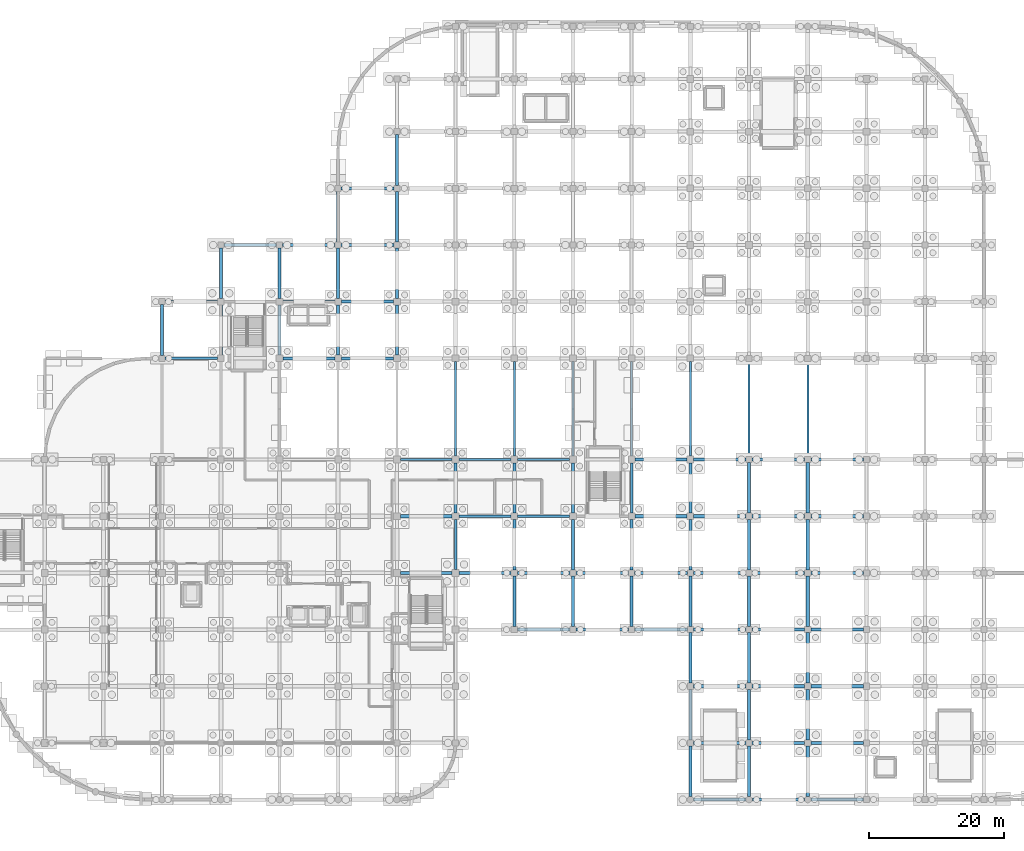
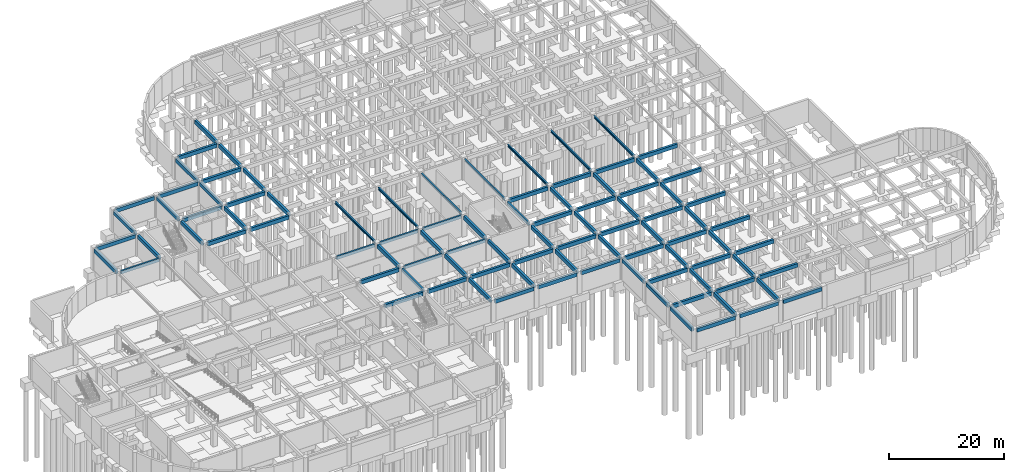
# One storey, part 17 of 33: 95 beams.
"""IFC4 building model written with IfcOpenShell, lengths in metres."""

from ifc_helpers import new_model, si_unit, derived_unit, direction, frame, origin, origin_2d, place, context, subcontext, project, spatial, rectangle, i_section, extrude, material, material_profile, profile_set, type_object, element, save


model = new_model("IFC4")

# Units and contexts
model_context = context("Model", 3, precision=1e-05, world=origin(), true_north=direction((0.0, 1.0)))
body_context = subcontext(model_context, "Body", "Model", "MODEL_VIEW")
ifc_project = project(units=[si_unit("LENGTHUNIT", "METRE"), si_unit("AREAUNIT", "SQUARE_METRE"), si_unit("VOLUMEUNIT", "CUBIC_METRE"), si_unit("PLANEANGLEUNIT", "RADIAN"), si_unit("MASSUNIT", "GRAM", prefix="KILO"), derived_unit("THERMALTRANSMITTANCEUNIT", [(si_unit("MASSUNIT", "GRAM", prefix="KILO"), 1), (si_unit("TIMEUNIT", "SECOND"), -3), (si_unit("THERMODYNAMICTEMPERATUREUNIT", "KELVIN"), -1)])], contexts=[model_context])

# Site, building, storey
site_placement = place(None, origin())
site = spatial("IfcSite", under=ifc_project, at=site_placement, CompositionType="ELEMENT")
building_placement = place(site_placement, origin())
building = spatial("IfcBuilding", under=site, at=building_placement, Name="Qinzheling Arcade Emporium", CompositionType="ELEMENT")
storey_placement = place(building_placement, frame((0.0, 0.0, -9.60009765625)))
storey = spatial("IfcBuildingStorey", under=building, at=storey_placement, Name="B2", CompositionType="ELEMENT", Elevation=-9.60009765625)

# Beams
ifc_material_1 = material(Name="Structural steel Q355B", Category="steel")
ifc_material_profile_1 = material_profile(ifc_material_1, i_section(OverallWidth=0.300048828125, OverallDepth=0.488037109375, WebThickness=0.010986328125, FlangeThickness=0.01806640625, FilletRadius=0.02197265625, at=origin_2d()), Name="HM 488x300x11x18", Category="steel")
ifc_profile_set_1 = profile_set([ifc_material_profile_1], Name="Structural steel Q355B")
beam_type_1 = type_object("IfcBeamType", Name="Atrium Bridge Girder HM488 Q355B", PredefinedType="USERDEFINED", material=ifc_profile_set_1)
for number, where, z_axis, x_axis, name in (
    (1, (69.60009765625, 50.89990234375, 4.276123046875), (0.0, 1.0, 0.0), (-1.0, 0.0, 0.0), "Beam BM-B2-Y-9-G"),
    (2, (78.300048828125, 50.89990234375, 4.276123046875), (0.0, 1.0, 0.0), (-1.0, 0.0, 0.0), "Beam BM-B2-Y-10-G"),
    (3, (87.0, 50.89990234375, 4.236083984375), (0.0, 1.0, 0.0), (-1.0, 0.0, 0.0), "Beam BM-B2-Y-11-G"),
    (4, (95.699951171875, 50.89990234375, 4.236083984375), (0.0, 1.0, 0.0), (-1.0, 0.0, 0.0), "Beam BM-B2-Y-12-G"),
    (5, (104.39990234375, 50.89990234375, 4.276123046875), (0.0, 1.0, 0.0), (-1.0, 0.0, 0.0), "Beam BM-B2-Y-13-G"),
):
    element("IfcBeam", number, at=place(storey_placement, frame(where, z_axis=z_axis, x_axis=x_axis)), inside=storey, type_object=beam_type_1, Name=name, ObjectType="TRANSFER_GIRDER", PredefinedType="USERDEFINED", context=body_context, shape_type="SweptSolid", body=[
        extrude(i_section(OverallWidth=0.300048828125, OverallDepth=0.488037109375, WebThickness=0.010986328125, FlangeThickness=0.01806640625, FilletRadius=0.02197265625, at=origin_2d()), origin(), (0.0, 0.0, 1.0), 14.0),
    ])
for number, where, z_axis, x_axis, name in (
    (6, (113.10009765625, 50.85009765625, 4.276123046875), (0.0, 1.0, 0.0), (-1.0, 0.0, 0.0), "Beam BM-B2-Y-14-G"),
    (7, (121.800048828125, 50.85009765625, 4.276123046875), (0.0, 1.0, 0.0), (-1.0, 0.0, 0.0), "Beam BM-B2-Y-15-G"),
):
    element("IfcBeam", number, at=place(storey_placement, frame(where, z_axis=z_axis, x_axis=x_axis)), inside=storey, type_object=beam_type_1, Name=name, ObjectType="TRANSFER_GIRDER", PredefinedType="USERDEFINED", context=body_context, shape_type="SweptSolid", body=[
        extrude(i_section(OverallWidth=0.300048828125, OverallDepth=0.488037109375, WebThickness=0.010986328125, FlangeThickness=0.01806640625, FilletRadius=0.02197265625, at=origin_2d()), origin(), (0.0, 0.0, 1.0), 14.099853515625),
    ])
ifc_material_2 = material(Name="Concrete C40", Category="concrete")
ifc_material_profile_2 = material_profile(ifc_material_2, rectangle(XDim=0.449951171875, YDim=0.800048828125, at=origin_2d()), Name="RC 450x800", Category="concrete")
ifc_profile_set_2 = profile_set([ifc_material_profile_2], Name="Concrete C40")
beam_type_2 = type_object("IfcBeamType", Name="RC Primary Frame Beam 450x800 C40", PredefinedType="BEAM", material=ifc_profile_set_2)
for number, where, z_axis, x_axis, name in (
    (8, (104.875, 0.0, 4.1201171875), (1.0, 0.0, 0.0), (0.0, 1.0, 0.0), "Beam BM-B2-X-A-13"),
    (9, (113.574951171875, 0.0, 4.1201171875), (1.0, 0.0, 0.0), (0.0, 1.0, 0.0), "Beam BM-B2-X-A-14"),
):
    element("IfcBeam", number, at=place(storey_placement, frame(where, z_axis=z_axis, x_axis=x_axis)), inside=storey, type_object=beam_type_2, Name=name, PredefinedType="BEAM", context=body_context, shape_type="SweptSolid", body=[
        extrude(rectangle(XDim=0.449951171875, YDim=0.800048828125, at=origin_2d()), origin(), (0.0, 0.0, 1.0), 7.75),
    ])
beam_1_placement = place(storey_placement, frame((122.27490234375, 0.0, 4.1201171875), z_axis=(1.0, 0.0, 0.0), x_axis=(0.0, 1.0, 0.0)))
element("IfcBeam", 10, at=beam_1_placement, inside=storey, type_object=beam_type_2, Name="Beam BM-B2-X-A-15", PredefinedType="BEAM", context=body_context, shape_type="SweptSolid", body=[
    extrude(rectangle(XDim=0.449951171875, YDim=0.800048828125, at=origin_2d()), origin(), (0.0, 0.0, 1.0), 7.775146484375),
])
beam_2_placement = place(storey_placement, frame((104.85009765625, 8.39990234375, 4.1201171875), z_axis=(1.0, 0.0, 0.0), x_axis=(0.0, 1.0, 0.0)))
element("IfcBeam", 11, at=beam_2_placement, inside=storey, type_object=beam_type_2, Name="Beam BM-B2-X-B-13", PredefinedType="BEAM", context=body_context, shape_type="SweptSolid", body=[
    extrude(rectangle(XDim=0.449951171875, YDim=0.800048828125, at=origin_2d()), origin(), (0.0, 0.0, 1.0), 7.7998046875),
])
for number, where, z_axis, x_axis, name in (
    (12, (113.550048828125, 8.39990234375, 4.1201171875), (1.0, 0.0, 0.0), (0.0, 1.0, 0.0), "Beam BM-B2-X-B-14"),
    (13, (122.25, 8.39990234375, 4.1201171875), (1.0, 0.0, 0.0), (0.0, 1.0, 0.0), "Beam BM-B2-X-B-15"),
):
    element("IfcBeam", number, at=place(storey_placement, frame(where, z_axis=z_axis, x_axis=x_axis)), inside=storey, type_object=beam_type_2, Name=name, PredefinedType="BEAM", context=body_context, shape_type="SweptSolid", body=[
        extrude(rectangle(XDim=0.449951171875, YDim=0.800048828125, at=origin_2d()), origin(), (0.0, 0.0, 1.0), 7.800048828125),
    ])
beam_3_placement = place(storey_placement, frame((104.85009765625, 16.800048828125, 4.1201171875), z_axis=(1.0, 0.0, 0.0), x_axis=(0.0, 1.0, 0.0)))
element("IfcBeam", 14, at=beam_3_placement, inside=storey, type_object=beam_type_2, Name="Beam BM-B2-X-C-13", PredefinedType="BEAM", context=body_context, shape_type="SweptSolid", body=[
    extrude(rectangle(XDim=0.449951171875, YDim=0.800048828125, at=origin_2d()), origin(), (0.0, 0.0, 1.0), 7.7998046875),
])
for number, where, z_axis, x_axis, name in (
    (15, (113.550048828125, 16.800048828125, 4.1201171875), (1.0, 0.0, 0.0), (0.0, 1.0, 0.0), "Beam BM-B2-X-C-14"),
    (16, (122.25, 16.800048828125, 4.1201171875), (1.0, 0.0, 0.0), (0.0, 1.0, 0.0), "Beam BM-B2-X-C-15"),
    (17, (78.75, 25.199951171875, 4.1201171875), (1.0, 0.0, 0.0), (0.0, 1.0, 0.0), "Beam BM-B2-X-D-10"),
    (18, (87.449951171875, 25.199951171875, 4.1201171875), (1.0, 0.0, 0.0), (0.0, 1.0, 0.0), "Beam BM-B2-X-D-11"),
    (19, (96.14990234375, 25.199951171875, 4.1201171875), (1.0, 0.0, 0.0), (0.0, 1.0, 0.0), "Beam BM-B2-X-D-12"),
):
    element("IfcBeam", number, at=place(storey_placement, frame(where, z_axis=z_axis, x_axis=x_axis)), inside=storey, type_object=beam_type_2, Name=name, PredefinedType="BEAM", context=body_context, shape_type="SweptSolid", body=[
        extrude(rectangle(XDim=0.449951171875, YDim=0.800048828125, at=origin_2d()), origin(), (0.0, 0.0, 1.0), 7.800048828125),
    ])
beam_4_placement = place(storey_placement, frame((104.85009765625, 25.199951171875, 4.1201171875), z_axis=(1.0, 0.0, 0.0), x_axis=(0.0, 1.0, 0.0)))
element("IfcBeam", 20, at=beam_4_placement, inside=storey, type_object=beam_type_2, Name="Beam BM-B2-X-D-13", PredefinedType="BEAM", context=body_context, shape_type="SweptSolid", body=[
    extrude(rectangle(XDim=0.449951171875, YDim=0.800048828125, at=origin_2d()), origin(), (0.0, 0.0, 1.0), 7.7998046875),
])
for number, where, z_axis, x_axis, name in (
    (21, (113.550048828125, 25.199951171875, 4.1201171875), (1.0, 0.0, 0.0), (0.0, 1.0, 0.0), "Beam BM-B2-X-D-14"),
    (22, (122.25, 25.199951171875, 4.1201171875), (1.0, 0.0, 0.0), (0.0, 1.0, 0.0), "Beam BM-B2-X-D-15"),
):
    element("IfcBeam", number, at=place(storey_placement, frame(where, z_axis=z_axis, x_axis=x_axis)), inside=storey, type_object=beam_type_2, Name=name, PredefinedType="BEAM", context=body_context, shape_type="SweptSolid", body=[
        extrude(rectangle(XDim=0.449951171875, YDim=0.800048828125, at=origin_2d()), origin(), (0.0, 0.0, 1.0), 7.800048828125),
    ])
beam_5_placement = place(storey_placement, frame((61.39990234375, 33.60009765625, 4.080078125), z_axis=(1.0, 0.0, 0.0), x_axis=(0.0, 1.0, 0.0)))
element("IfcBeam", 23, at=beam_5_placement, inside=storey, type_object=beam_type_2, Name="Beam BM-B2-X-E-8", PredefinedType="BEAM", context=body_context, shape_type="SweptSolid", body=[
    extrude(rectangle(XDim=0.449951171875, YDim=0.800048828125, at=origin_2d()), origin(), (0.0, 0.0, 1.0), 7.7001953125),
])
beam_6_placement = place(storey_placement, frame((70.10009765625, 33.60009765625, 4.1201171875), z_axis=(1.0, 0.0, 0.0), x_axis=(0.0, 1.0, 0.0)))
element("IfcBeam", 24, at=beam_6_placement, inside=storey, type_object=beam_type_2, Name="Beam BM-B2-X-E-9", PredefinedType="BEAM", context=body_context, shape_type="SweptSolid", body=[
    extrude(rectangle(XDim=0.449951171875, YDim=0.800048828125, at=origin_2d()), origin(), (0.0, 0.0, 1.0), 7.75),
])
for number, where, z_axis, x_axis, name in (
    (25, (78.75, 33.60009765625, 4.1201171875), (1.0, 0.0, 0.0), (0.0, 1.0, 0.0), "Beam BM-B2-X-E-10"),
    (26, (87.449951171875, 33.60009765625, 4.1201171875), (1.0, 0.0, 0.0), (0.0, 1.0, 0.0), "Beam BM-B2-X-E-11"),
    (27, (96.14990234375, 33.60009765625, 4.1201171875), (1.0, 0.0, 0.0), (0.0, 1.0, 0.0), "Beam BM-B2-X-E-12"),
):
    element("IfcBeam", number, at=place(storey_placement, frame(where, z_axis=z_axis, x_axis=x_axis)), inside=storey, type_object=beam_type_2, Name=name, PredefinedType="BEAM", context=body_context, shape_type="SweptSolid", body=[
        extrude(rectangle(XDim=0.449951171875, YDim=0.800048828125, at=origin_2d()), origin(), (0.0, 0.0, 1.0), 7.800048828125),
    ])
beam_7_placement = place(storey_placement, frame((104.85009765625, 33.60009765625, 4.1201171875), z_axis=(1.0, 0.0, 0.0), x_axis=(0.0, 1.0, 0.0)))
element("IfcBeam", 28, at=beam_7_placement, inside=storey, type_object=beam_type_2, Name="Beam BM-B2-X-E-13", PredefinedType="BEAM", context=body_context, shape_type="SweptSolid", body=[
    extrude(rectangle(XDim=0.449951171875, YDim=0.800048828125, at=origin_2d()), origin(), (0.0, 0.0, 1.0), 7.7998046875),
])
for number, where, z_axis, x_axis, name in (
    (29, (113.550048828125, 33.60009765625, 4.1201171875), (1.0, 0.0, 0.0), (0.0, 1.0, 0.0), "Beam BM-B2-X-E-14"),
    (30, (122.25, 33.60009765625, 4.1201171875), (1.0, 0.0, 0.0), (0.0, 1.0, 0.0), "Beam BM-B2-X-E-15"),
):
    element("IfcBeam", number, at=place(storey_placement, frame(where, z_axis=z_axis, x_axis=x_axis)), inside=storey, type_object=beam_type_2, Name=name, PredefinedType="BEAM", context=body_context, shape_type="SweptSolid", body=[
        extrude(rectangle(XDim=0.449951171875, YDim=0.800048828125, at=origin_2d()), origin(), (0.0, 0.0, 1.0), 7.800048828125),
    ])
beam_8_placement = place(storey_placement, frame((61.39990234375, 42.0, 4.080078125), z_axis=(1.0, 0.0, 0.0), x_axis=(0.0, 1.0, 0.0)))
element("IfcBeam", 31, at=beam_8_placement, inside=storey, type_object=beam_type_2, Name="Beam BM-B2-X-F-8", PredefinedType="BEAM", context=body_context, shape_type="SweptSolid", body=[
    extrude(rectangle(XDim=0.449951171875, YDim=0.800048828125, at=origin_2d()), origin(), (0.0, 0.0, 1.0), 7.7001953125),
])
beam_9_placement = place(storey_placement, frame((96.199951171875, 42.0, 4.1201171875), z_axis=(1.0, 0.0, 0.0), x_axis=(0.0, 1.0, 0.0)))
element("IfcBeam", 32, at=beam_9_placement, inside=storey, type_object=beam_type_2, Name="Beam BM-B2-X-F-12", PredefinedType="BEAM", context=body_context, shape_type="SweptSolid", body=[
    extrude(rectangle(XDim=0.449951171875, YDim=0.800048828125, at=origin_2d()), origin(), (0.0, 0.0, 1.0), 7.699951171875),
])
beam_10_placement = place(storey_placement, frame((104.89990234375, 42.0, 4.1201171875), z_axis=(1.0, 0.0, 0.0), x_axis=(0.0, 1.0, 0.0)))
element("IfcBeam", 33, at=beam_10_placement, inside=storey, type_object=beam_type_2, Name="Beam BM-B2-X-F-13", PredefinedType="BEAM", context=body_context, shape_type="SweptSolid", body=[
    extrude(rectangle(XDim=0.449951171875, YDim=0.800048828125, at=origin_2d()), origin(), (0.0, 0.0, 1.0), 7.75),
])
for number, where, z_axis, x_axis, name in (
    (34, (113.550048828125, 42.0, 4.1201171875), (1.0, 0.0, 0.0), (0.0, 1.0, 0.0), "Beam BM-B2-X-F-14"),
    (35, (122.25, 42.0, 4.1201171875), (1.0, 0.0, 0.0), (0.0, 1.0, 0.0), "Beam BM-B2-X-F-15"),
):
    element("IfcBeam", number, at=place(storey_placement, frame(where, z_axis=z_axis, x_axis=x_axis)), inside=storey, type_object=beam_type_2, Name=name, PredefinedType="BEAM", context=body_context, shape_type="SweptSolid", body=[
        extrude(rectangle(XDim=0.449951171875, YDim=0.800048828125, at=origin_2d()), origin(), (0.0, 0.0, 1.0), 7.800048828125),
    ])
beam_11_placement = place(storey_placement, frame((96.199951171875, 50.39990234375, 4.1201171875), z_axis=(1.0, 0.0, 0.0), x_axis=(0.0, 1.0, 0.0)))
element("IfcBeam", 36, at=beam_11_placement, inside=storey, type_object=beam_type_2, Name="Beam BM-B2-X-G-12", PredefinedType="BEAM", context=body_context, shape_type="SweptSolid", body=[
    extrude(rectangle(XDim=0.449951171875, YDim=0.800048828125, at=origin_2d()), origin(), (0.0, 0.0, 1.0), 7.699951171875),
])
beam_12_placement = place(storey_placement, frame((104.89990234375, 50.39990234375, 4.1201171875), z_axis=(1.0, 0.0, 0.0), x_axis=(0.0, 1.0, 0.0)))
element("IfcBeam", 37, at=beam_12_placement, inside=storey, type_object=beam_type_2, Name="Beam BM-B2-X-G-13", PredefinedType="BEAM", context=body_context, shape_type="SweptSolid", body=[
    extrude(rectangle(XDim=0.449951171875, YDim=0.800048828125, at=origin_2d()), origin(), (0.0, 0.0, 1.0), 7.75),
])
for number, where, z_axis, x_axis, name in (
    (38, (113.550048828125, 50.39990234375, 4.1201171875), (1.0, 0.0, 0.0), (0.0, 1.0, 0.0), "Beam BM-B2-X-G-14"),
    (39, (122.25, 50.39990234375, 4.1201171875), (1.0, 0.0, 0.0), (0.0, 1.0, 0.0), "Beam BM-B2-X-G-15"),
):
    element("IfcBeam", number, at=place(storey_placement, frame(where, z_axis=z_axis, x_axis=x_axis)), inside=storey, type_object=beam_type_2, Name=name, PredefinedType="BEAM", context=body_context, shape_type="SweptSolid", body=[
        extrude(rectangle(XDim=0.449951171875, YDim=0.800048828125, at=origin_2d()), origin(), (0.0, 0.0, 1.0), 7.800048828125),
    ])
for number, where, z_axis, x_axis, name in (
    (40, (44.0, 65.39990234375, 4.1201171875), (1.0, 0.0, 0.0), (0.0, 1.0, 0.0), "Beam BM-B2-X-H-6"),
    (41, (52.699951171875, 65.39990234375, 4.1201171875), (1.0, 0.0, 0.0), (0.0, 1.0, 0.0), "Beam BM-B2-X-H-7"),
):
    element("IfcBeam", number, at=place(storey_placement, frame(where, z_axis=z_axis, x_axis=x_axis)), inside=storey, type_object=beam_type_2, Name=name, PredefinedType="BEAM", context=body_context, shape_type="SweptSolid", body=[
        extrude(rectangle(XDim=0.449951171875, YDim=0.800048828125, at=origin_2d()), origin(), (0.0, 0.0, 1.0), 7.699951171875),
    ])
beam_13_placement = place(storey_placement, frame((26.550048828125, 73.800048828125, 4.1201171875), z_axis=(1.0, 0.0, 0.0), x_axis=(0.0, 1.0, 0.0)))
element("IfcBeam", 42, at=beam_13_placement, inside=storey, type_object=beam_type_2, Name="Beam BM-B2-X-J-4", PredefinedType="BEAM", context=body_context, shape_type="SweptSolid", body=[
    extrude(rectangle(XDim=0.449951171875, YDim=0.800048828125, at=origin_2d()), origin(), (0.0, 0.0, 1.0), 7.75),
])
for number, where, z_axis, x_axis, name in (
    (43, (44.0, 73.800048828125, 4.1201171875), (1.0, 0.0, 0.0), (0.0, 1.0, 0.0), "Beam BM-B2-X-J-6"),
    (44, (52.699951171875, 73.800048828125, 4.1201171875), (1.0, 0.0, 0.0), (0.0, 1.0, 0.0), "Beam BM-B2-X-J-7"),
):
    element("IfcBeam", number, at=place(storey_placement, frame(where, z_axis=z_axis, x_axis=x_axis)), inside=storey, type_object=beam_type_2, Name=name, PredefinedType="BEAM", context=body_context, shape_type="SweptSolid", body=[
        extrude(rectangle(XDim=0.449951171875, YDim=0.800048828125, at=origin_2d()), origin(), (0.0, 0.0, 1.0), 7.699951171875),
    ])
for number, where, z_axis, x_axis, name in (
    (45, (35.25, 82.199951171875, 4.1201171875), (1.0, 0.0, 0.0), (0.0, 1.0, 0.0), "Beam BM-B2-X-K-5"),
    (46, (43.949951171875, 82.199951171875, 4.1201171875), (1.0, 0.0, 0.0), (0.0, 1.0, 0.0), "Beam BM-B2-X-K-6"),
    (47, (52.64990234375, 82.199951171875, 4.1201171875), (1.0, 0.0, 0.0), (0.0, 1.0, 0.0), "Beam BM-B2-X-K-7"),
    (48, (52.64990234375, 90.60009765625, 4.1201171875), (1.0, 0.0, 0.0), (0.0, 1.0, 0.0), "Beam BM-B2-X-L-7"),
):
    element("IfcBeam", number, at=place(storey_placement, frame(where, z_axis=z_axis, x_axis=x_axis)), inside=storey, type_object=beam_type_2, Name=name, PredefinedType="BEAM", context=body_context, shape_type="SweptSolid", body=[
        extrude(rectangle(XDim=0.449951171875, YDim=0.800048828125, at=origin_2d()), origin(), (0.0, 0.0, 1.0), 7.800048828125),
    ])
beam_14_placement = place(storey_placement, frame((26.10009765625, 65.85009765625, 4.1201171875), z_axis=(0.0, 1.0, 0.0), x_axis=(-1.0, 0.0, 0.0)))
element("IfcBeam", 49, at=beam_14_placement, inside=storey, type_object=beam_type_2, Name="Beam BM-B2-Y-4-H", PredefinedType="BEAM", context=body_context, shape_type="SweptSolid", body=[
    extrude(rectangle(XDim=0.449951171875, YDim=0.800048828125, at=origin_2d()), origin(), (0.0, 0.0, 1.0), 7.5),
])
beam_15_placement = place(storey_placement, frame((34.800048828125, 65.89990234375, 4.080078125), z_axis=(0.0, 1.0, 0.0), x_axis=(-1.0, 0.0, 0.0)))
element("IfcBeam", 50, at=beam_15_placement, inside=storey, type_object=beam_type_2, Name="Beam BM-B2-Y-5-H", PredefinedType="BEAM", context=body_context, shape_type="SweptSolid", body=[
    extrude(rectangle(XDim=0.449951171875, YDim=0.800048828125, at=origin_2d()), origin(), (0.0, 0.0, 1.0), 7.400146484375),
])
beam_16_placement = place(storey_placement, frame((34.800048828125, 74.300048828125, 4.1201171875), z_axis=(0.0, 1.0, 0.0), x_axis=(-1.0, 0.0, 0.0)))
element("IfcBeam", 51, at=beam_16_placement, inside=storey, type_object=beam_type_2, Name="Beam BM-B2-Y-5-J", PredefinedType="BEAM", context=body_context, shape_type="SweptSolid", body=[
    extrude(rectangle(XDim=0.449951171875, YDim=0.800048828125, at=origin_2d()), origin(), (0.0, 0.0, 1.0), 7.449951171875),
])
beam_17_placement = place(storey_placement, frame((43.5, 65.89990234375, 4.080078125), z_axis=(0.0, 1.0, 0.0), x_axis=(-1.0, 0.0, 0.0)))
element("IfcBeam", 52, at=beam_17_placement, inside=storey, type_object=beam_type_2, Name="Beam BM-B2-Y-6-H", PredefinedType="BEAM", context=body_context, shape_type="SweptSolid", body=[
    extrude(rectangle(XDim=0.449951171875, YDim=0.800048828125, at=origin_2d()), origin(), (0.0, 0.0, 1.0), 7.400146484375),
])
beam_18_placement = place(storey_placement, frame((43.5, 74.300048828125, 4.1201171875), z_axis=(0.0, 1.0, 0.0), x_axis=(-1.0, 0.0, 0.0)))
element("IfcBeam", 53, at=beam_18_placement, inside=storey, type_object=beam_type_2, Name="Beam BM-B2-Y-6-J", PredefinedType="BEAM", context=body_context, shape_type="SweptSolid", body=[
    extrude(rectangle(XDim=0.449951171875, YDim=0.800048828125, at=origin_2d()), origin(), (0.0, 0.0, 1.0), 7.449951171875),
])
beam_19_placement = place(storey_placement, frame((52.199951171875, 65.89990234375, 4.1201171875), z_axis=(0.0, 1.0, 0.0), x_axis=(-1.0, 0.0, 0.0)))
element("IfcBeam", 54, at=beam_19_placement, inside=storey, type_object=beam_type_2, Name="Beam BM-B2-Y-7-H", PredefinedType="BEAM", context=body_context, shape_type="SweptSolid", body=[
    extrude(rectangle(XDim=0.449951171875, YDim=0.800048828125, at=origin_2d()), origin(), (0.0, 0.0, 1.0), 7.400146484375),
])
beam_20_placement = place(storey_placement, frame((52.199951171875, 74.300048828125, 4.1201171875), z_axis=(0.0, 1.0, 0.0), x_axis=(-1.0, 0.0, 0.0)))
element("IfcBeam", 55, at=beam_20_placement, inside=storey, type_object=beam_type_2, Name="Beam BM-B2-Y-7-J", PredefinedType="BEAM", context=body_context, shape_type="SweptSolid", body=[
    extrude(rectangle(XDim=0.449951171875, YDim=0.800048828125, at=origin_2d()), origin(), (0.0, 0.0, 1.0), 7.449951171875),
])
beam_21_placement = place(storey_placement, frame((52.199951171875, 82.64990234375, 4.1201171875), z_axis=(0.0, 1.0, 0.0), x_axis=(-1.0, 0.0, 0.0)))
element("IfcBeam", 56, at=beam_21_placement, inside=storey, type_object=beam_type_2, Name="Beam BM-B2-Y-7-K", PredefinedType="BEAM", context=body_context, shape_type="SweptSolid", body=[
    extrude(rectangle(XDim=0.449951171875, YDim=0.800048828125, at=origin_2d()), origin(), (0.0, 0.0, 1.0), 7.5),
])
beam_22_placement = place(storey_placement, frame((60.89990234375, 65.89990234375, 4.1201171875), z_axis=(0.0, 1.0, 0.0), x_axis=(-1.0, 0.0, 0.0)))
element("IfcBeam", 57, at=beam_22_placement, inside=storey, type_object=beam_type_2, Name="Beam BM-B2-Y-8-H", PredefinedType="BEAM", context=body_context, shape_type="SweptSolid", body=[
    extrude(rectangle(XDim=0.449951171875, YDim=0.800048828125, at=origin_2d()), origin(), (0.0, 0.0, 1.0), 7.400146484375),
])
beam_23_placement = place(storey_placement, frame((60.89990234375, 74.300048828125, 4.1201171875), z_axis=(0.0, 1.0, 0.0), x_axis=(-1.0, 0.0, 0.0)))
element("IfcBeam", 58, at=beam_23_placement, inside=storey, type_object=beam_type_2, Name="Beam BM-B2-Y-8-J", PredefinedType="BEAM", context=body_context, shape_type="SweptSolid", body=[
    extrude(rectangle(XDim=0.449951171875, YDim=0.800048828125, at=origin_2d()), origin(), (0.0, 0.0, 1.0), 7.449951171875),
])
for number, where, z_axis, x_axis, name in (
    (59, (60.89990234375, 82.64990234375, 4.1201171875), (0.0, 1.0, 0.0), (-1.0, 0.0, 0.0), "Beam BM-B2-Y-8-K"),
    (60, (60.89990234375, 91.050048828125, 4.1201171875), (0.0, 1.0, 0.0), (-1.0, 0.0, 0.0), "Beam BM-B2-Y-8-L"),
):
    element("IfcBeam", number, at=place(storey_placement, frame(where, z_axis=z_axis, x_axis=x_axis)), inside=storey, type_object=beam_type_2, Name=name, PredefinedType="BEAM", context=body_context, shape_type="SweptSolid", body=[
        extrude(rectangle(XDim=0.449951171875, YDim=0.800048828125, at=origin_2d()), origin(), (0.0, 0.0, 1.0), 7.5),
    ])
beam_24_placement = place(storey_placement, frame((69.60009765625, 42.5, 4.080078125), z_axis=(0.0, 1.0, 0.0), x_axis=(-1.0, 0.0, 0.0)))
element("IfcBeam", 61, at=beam_24_placement, inside=storey, type_object=beam_type_2, Name="Beam BM-B2-Y-9-F", PredefinedType="BEAM", context=body_context, shape_type="SweptSolid", body=[
    extrude(rectangle(XDim=0.449951171875, YDim=0.800048828125, at=origin_2d()), origin(), (0.0, 0.0, 1.0), 7.39990234375),
])
beam_25_placement = place(storey_placement, frame((78.300048828125, 25.64990234375, 4.1201171875), z_axis=(0.0, 1.0, 0.0), x_axis=(-1.0, 0.0, 0.0)))
element("IfcBeam", 62, at=beam_25_placement, inside=storey, type_object=beam_type_2, Name="Beam BM-B2-Y-10-D", PredefinedType="BEAM", context=body_context, shape_type="SweptSolid", body=[
    extrude(rectangle(XDim=0.449951171875, YDim=0.800048828125, at=origin_2d()), origin(), (0.0, 0.0, 1.0), 7.5),
])
beam_26_placement = place(storey_placement, frame((78.300048828125, 34.050048828125, 4.1201171875), z_axis=(0.0, 1.0, 0.0), x_axis=(-1.0, 0.0, 0.0)))
element("IfcBeam", 63, at=beam_26_placement, inside=storey, type_object=beam_type_2, Name="Beam BM-B2-Y-10-E", PredefinedType="BEAM", context=body_context, shape_type="SweptSolid", body=[
    extrude(rectangle(XDim=0.449951171875, YDim=0.800048828125, at=origin_2d()), origin(), (0.0, 0.0, 1.0), 7.449951171875),
])
beam_27_placement = place(storey_placement, frame((78.300048828125, 42.5, 4.080078125), z_axis=(0.0, 1.0, 0.0), x_axis=(-1.0, 0.0, 0.0)))
element("IfcBeam", 64, at=beam_27_placement, inside=storey, type_object=beam_type_2, Name="Beam BM-B2-Y-10-F", PredefinedType="BEAM", context=body_context, shape_type="SweptSolid", body=[
    extrude(rectangle(XDim=0.449951171875, YDim=0.800048828125, at=origin_2d()), origin(), (0.0, 0.0, 1.0), 7.39990234375),
])
beam_28_placement = place(storey_placement, frame((87.0, 25.64990234375, 4.1201171875), z_axis=(0.0, 1.0, 0.0), x_axis=(-1.0, 0.0, 0.0)))
element("IfcBeam", 65, at=beam_28_placement, inside=storey, type_object=beam_type_2, Name="Beam BM-B2-Y-11-D", PredefinedType="BEAM", context=body_context, shape_type="SweptSolid", body=[
    extrude(rectangle(XDim=0.449951171875, YDim=0.800048828125, at=origin_2d()), origin(), (0.0, 0.0, 1.0), 7.5),
])
beam_29_placement = place(storey_placement, frame((87.0, 34.050048828125, 4.1201171875), z_axis=(0.0, 1.0, 0.0), x_axis=(-1.0, 0.0, 0.0)))
element("IfcBeam", 66, at=beam_29_placement, inside=storey, type_object=beam_type_2, Name="Beam BM-B2-Y-11-E", PredefinedType="BEAM", context=body_context, shape_type="SweptSolid", body=[
    extrude(rectangle(XDim=0.449951171875, YDim=0.800048828125, at=origin_2d()), origin(), (0.0, 0.0, 1.0), 7.449951171875),
])
beam_30_placement = place(storey_placement, frame((87.0, 42.5, 4.080078125), z_axis=(0.0, 1.0, 0.0), x_axis=(-1.0, 0.0, 0.0)))
element("IfcBeam", 67, at=beam_30_placement, inside=storey, type_object=beam_type_2, Name="Beam BM-B2-Y-11-F", PredefinedType="BEAM", context=body_context, shape_type="SweptSolid", body=[
    extrude(rectangle(XDim=0.449951171875, YDim=0.800048828125, at=origin_2d()), origin(), (0.0, 0.0, 1.0), 7.39990234375),
])
beam_31_placement = place(storey_placement, frame((95.699951171875, 25.64990234375, 4.1201171875), z_axis=(0.0, 1.0, 0.0), x_axis=(-1.0, 0.0, 0.0)))
element("IfcBeam", 68, at=beam_31_placement, inside=storey, type_object=beam_type_2, Name="Beam BM-B2-Y-12-D", PredefinedType="BEAM", context=body_context, shape_type="SweptSolid", body=[
    extrude(rectangle(XDim=0.449951171875, YDim=0.800048828125, at=origin_2d()), origin(), (0.0, 0.0, 1.0), 7.5),
])
beam_32_placement = place(storey_placement, frame((95.699951171875, 34.050048828125, 4.1201171875), z_axis=(0.0, 1.0, 0.0), x_axis=(-1.0, 0.0, 0.0)))
element("IfcBeam", 69, at=beam_32_placement, inside=storey, type_object=beam_type_2, Name="Beam BM-B2-Y-12-E", PredefinedType="BEAM", context=body_context, shape_type="SweptSolid", body=[
    extrude(rectangle(XDim=0.449951171875, YDim=0.800048828125, at=origin_2d()), origin(), (0.0, 0.0, 1.0), 7.449951171875),
])
beam_33_placement = place(storey_placement, frame((104.39990234375, 0.47509765625, 4.1201171875), z_axis=(0.0, 1.0, 0.0), x_axis=(-1.0, 0.0, 0.0)))
element("IfcBeam", 70, at=beam_33_placement, inside=storey, type_object=beam_type_2, Name="Beam BM-B2-Y-13-A", PredefinedType="BEAM", context=body_context, shape_type="SweptSolid", body=[
    extrude(rectangle(XDim=0.449951171875, YDim=0.800048828125, at=origin_2d()), origin(), (0.0, 0.0, 1.0), 7.474853515625),
])
for number, where, z_axis, x_axis, name in (
    (71, (104.39990234375, 8.85009765625, 4.1201171875), (0.0, 1.0, 0.0), (-1.0, 0.0, 0.0), "Beam BM-B2-Y-13-B"),
    (72, (104.39990234375, 17.25, 4.1201171875), (0.0, 1.0, 0.0), (-1.0, 0.0, 0.0), "Beam BM-B2-Y-13-C"),
    (73, (104.39990234375, 25.64990234375, 4.1201171875), (0.0, 1.0, 0.0), (-1.0, 0.0, 0.0), "Beam BM-B2-Y-13-D"),
):
    element("IfcBeam", number, at=place(storey_placement, frame(where, z_axis=z_axis, x_axis=x_axis)), inside=storey, type_object=beam_type_2, Name=name, PredefinedType="BEAM", context=body_context, shape_type="SweptSolid", body=[
        extrude(rectangle(XDim=0.449951171875, YDim=0.800048828125, at=origin_2d()), origin(), (0.0, 0.0, 1.0), 7.5),
    ])
beam_34_placement = place(storey_placement, frame((104.39990234375, 34.050048828125, 4.1201171875), z_axis=(0.0, 1.0, 0.0), x_axis=(-1.0, 0.0, 0.0)))
element("IfcBeam", 74, at=beam_34_placement, inside=storey, type_object=beam_type_2, Name="Beam BM-B2-Y-13-E", PredefinedType="BEAM", context=body_context, shape_type="SweptSolid", body=[
    extrude(rectangle(XDim=0.449951171875, YDim=0.800048828125, at=origin_2d()), origin(), (0.0, 0.0, 1.0), 7.449951171875),
])
beam_35_placement = place(storey_placement, frame((104.39990234375, 42.5, 4.1201171875), z_axis=(0.0, 1.0, 0.0), x_axis=(-1.0, 0.0, 0.0)))
element("IfcBeam", 75, at=beam_35_placement, inside=storey, type_object=beam_type_2, Name="Beam BM-B2-Y-13-F", PredefinedType="BEAM", context=body_context, shape_type="SweptSolid", body=[
    extrude(rectangle(XDim=0.449951171875, YDim=0.800048828125, at=origin_2d()), origin(), (0.0, 0.0, 1.0), 7.39990234375),
])
beam_36_placement = place(storey_placement, frame((113.10009765625, 0.47509765625, 4.1201171875), z_axis=(0.0, 1.0, 0.0), x_axis=(-1.0, 0.0, 0.0)))
element("IfcBeam", 76, at=beam_36_placement, inside=storey, type_object=beam_type_2, Name="Beam BM-B2-Y-14-A", PredefinedType="BEAM", context=body_context, shape_type="SweptSolid", body=[
    extrude(rectangle(XDim=0.449951171875, YDim=0.800048828125, at=origin_2d()), origin(), (0.0, 0.0, 1.0), 7.474853515625),
])
for number, where, z_axis, x_axis, name in (
    (77, (113.10009765625, 8.85009765625, 4.1201171875), (0.0, 1.0, 0.0), (-1.0, 0.0, 0.0), "Beam BM-B2-Y-14-B"),
    (78, (113.10009765625, 17.25, 4.1201171875), (0.0, 1.0, 0.0), (-1.0, 0.0, 0.0), "Beam BM-B2-Y-14-C"),
    (79, (113.10009765625, 25.64990234375, 4.1201171875), (0.0, 1.0, 0.0), (-1.0, 0.0, 0.0), "Beam BM-B2-Y-14-D"),
    (80, (113.10009765625, 34.050048828125, 4.1201171875), (0.0, 1.0, 0.0), (-1.0, 0.0, 0.0), "Beam BM-B2-Y-14-E"),
    (81, (113.10009765625, 42.449951171875, 4.1201171875), (0.0, 1.0, 0.0), (-1.0, 0.0, 0.0), "Beam BM-B2-Y-14-F"),
):
    element("IfcBeam", number, at=place(storey_placement, frame(where, z_axis=z_axis, x_axis=x_axis)), inside=storey, type_object=beam_type_2, Name=name, PredefinedType="BEAM", context=body_context, shape_type="SweptSolid", body=[
        extrude(rectangle(XDim=0.449951171875, YDim=0.800048828125, at=origin_2d()), origin(), (0.0, 0.0, 1.0), 7.5),
    ])
beam_37_placement = place(storey_placement, frame((121.800048828125, 0.47509765625, 4.1201171875), z_axis=(0.0, 1.0, 0.0), x_axis=(-1.0, 0.0, 0.0)))
element("IfcBeam", 82, at=beam_37_placement, inside=storey, type_object=beam_type_2, Name="Beam BM-B2-Y-15-A", PredefinedType="BEAM", context=body_context, shape_type="SweptSolid", body=[
    extrude(rectangle(XDim=0.449951171875, YDim=0.800048828125, at=origin_2d()), origin(), (0.0, 0.0, 1.0), 7.474853515625),
])
for number, where, z_axis, x_axis, name in (
    (83, (121.800048828125, 8.85009765625, 4.1201171875), (0.0, 1.0, 0.0), (-1.0, 0.0, 0.0), "Beam BM-B2-Y-15-B"),
    (84, (121.800048828125, 17.25, 4.1201171875), (0.0, 1.0, 0.0), (-1.0, 0.0, 0.0), "Beam BM-B2-Y-15-C"),
    (85, (121.800048828125, 25.64990234375, 4.1201171875), (0.0, 1.0, 0.0), (-1.0, 0.0, 0.0), "Beam BM-B2-Y-15-D"),
    (86, (121.800048828125, 34.050048828125, 4.1201171875), (0.0, 1.0, 0.0), (-1.0, 0.0, 0.0), "Beam BM-B2-Y-15-E"),
    (87, (121.800048828125, 42.449951171875, 4.1201171875), (0.0, 1.0, 0.0), (-1.0, 0.0, 0.0), "Beam BM-B2-Y-15-F"),
):
    element("IfcBeam", number, at=place(storey_placement, frame(where, z_axis=z_axis, x_axis=x_axis)), inside=storey, type_object=beam_type_2, Name=name, PredefinedType="BEAM", context=body_context, shape_type="SweptSolid", body=[
        extrude(rectangle(XDim=0.449951171875, YDim=0.800048828125, at=origin_2d()), origin(), (0.0, 0.0, 1.0), 7.5),
    ])
ifc_material_profile_3 = material_profile(ifc_material_2, rectangle(XDim=0.35009765625, YDim=0.64990234375, at=origin_2d()), Name="RC 350x650", Category="concrete")
ifc_profile_set_3 = profile_set([ifc_material_profile_3], Name="Concrete C40")
beam_type_3 = type_object("IfcBeamType", Name="RC Spandrel Edge Beam 350x650 C40", PredefinedType="SPANDREL", material=ifc_profile_set_3)
for number, where, z_axis, x_axis, name in (
    (88, (70.10009765625, 42.0, 4.155029296875), (1.0, 0.0, 0.0), (0.0, 1.0, 0.0), "Beam BM-B2-X-F-9"),
    (89, (78.800048828125, 42.0, 4.155029296875), (1.0, 0.0, 0.0), (0.0, 1.0, 0.0), "Beam BM-B2-X-F-10"),
):
    element("IfcBeam", number, at=place(storey_placement, frame(where, z_axis=z_axis, x_axis=x_axis)), inside=storey, type_object=beam_type_3, Name=name, PredefinedType="SPANDREL", context=body_context, shape_type="SweptSolid", body=[
        extrude(rectangle(XDim=0.35009765625, YDim=0.64990234375, at=origin_2d()), origin(), (0.0, 0.0, 1.0), 7.699951171875),
    ])
beam_38_placement = place(storey_placement, frame((61.39990234375, 50.39990234375, 4.155029296875), z_axis=(1.0, 0.0, 0.0), x_axis=(0.0, 1.0, 0.0)))
element("IfcBeam", 90, at=beam_38_placement, inside=storey, type_object=beam_type_3, Name="Beam BM-B2-X-G-8", PredefinedType="SPANDREL", context=body_context, shape_type="SweptSolid", body=[
    extrude(rectangle(XDim=0.35009765625, YDim=0.64990234375, at=origin_2d()), origin(), (0.0, 0.0, 1.0), 7.7001953125),
])
for number, where, z_axis, x_axis, name in (
    (91, (70.10009765625, 50.39990234375, 4.155029296875), (1.0, 0.0, 0.0), (0.0, 1.0, 0.0), "Beam BM-B2-X-G-9"),
    (92, (78.800048828125, 50.39990234375, 4.155029296875), (1.0, 0.0, 0.0), (0.0, 1.0, 0.0), "Beam BM-B2-X-G-10"),
):
    element("IfcBeam", number, at=place(storey_placement, frame(where, z_axis=z_axis, x_axis=x_axis)), inside=storey, type_object=beam_type_3, Name=name, PredefinedType="SPANDREL", context=body_context, shape_type="SweptSolid", body=[
        extrude(rectangle(XDim=0.35009765625, YDim=0.64990234375, at=origin_2d()), origin(), (0.0, 0.0, 1.0), 7.699951171875),
    ])
beam_39_placement = place(storey_placement, frame((26.550048828125, 65.39990234375, 4.155029296875), z_axis=(1.0, 0.0, 0.0), x_axis=(0.0, 1.0, 0.0)))
element("IfcBeam", 93, at=beam_39_placement, inside=storey, type_object=beam_type_3, Name="Beam BM-B2-X-H-4", PredefinedType="SPANDREL", context=body_context, shape_type="SweptSolid", body=[
    extrude(rectangle(XDim=0.35009765625, YDim=0.64990234375, at=origin_2d()), origin(), (0.0, 0.0, 1.0), 7.75),
])
for number, where, z_axis, x_axis, name in (
    (94, (69.60009765625, 34.10009765625, 4.155029296875), (0.0, 1.0, 0.0), (-1.0, 0.0, 0.0), "Beam BM-B2-Y-9-E"),
    (95, (95.699951171875, 42.5, 4.155029296875), (0.0, 1.0, 0.0), (-1.0, 0.0, 0.0), "Beam BM-B2-Y-12-F"),
):
    element("IfcBeam", number, at=place(storey_placement, frame(where, z_axis=z_axis, x_axis=x_axis)), inside=storey, type_object=beam_type_3, Name=name, PredefinedType="SPANDREL", context=body_context, shape_type="SweptSolid", body=[
        extrude(rectangle(XDim=0.35009765625, YDim=0.64990234375, at=origin_2d()), origin(), (0.0, 0.0, 1.0), 7.39990234375),
    ])

save(model, "model.ifc")
